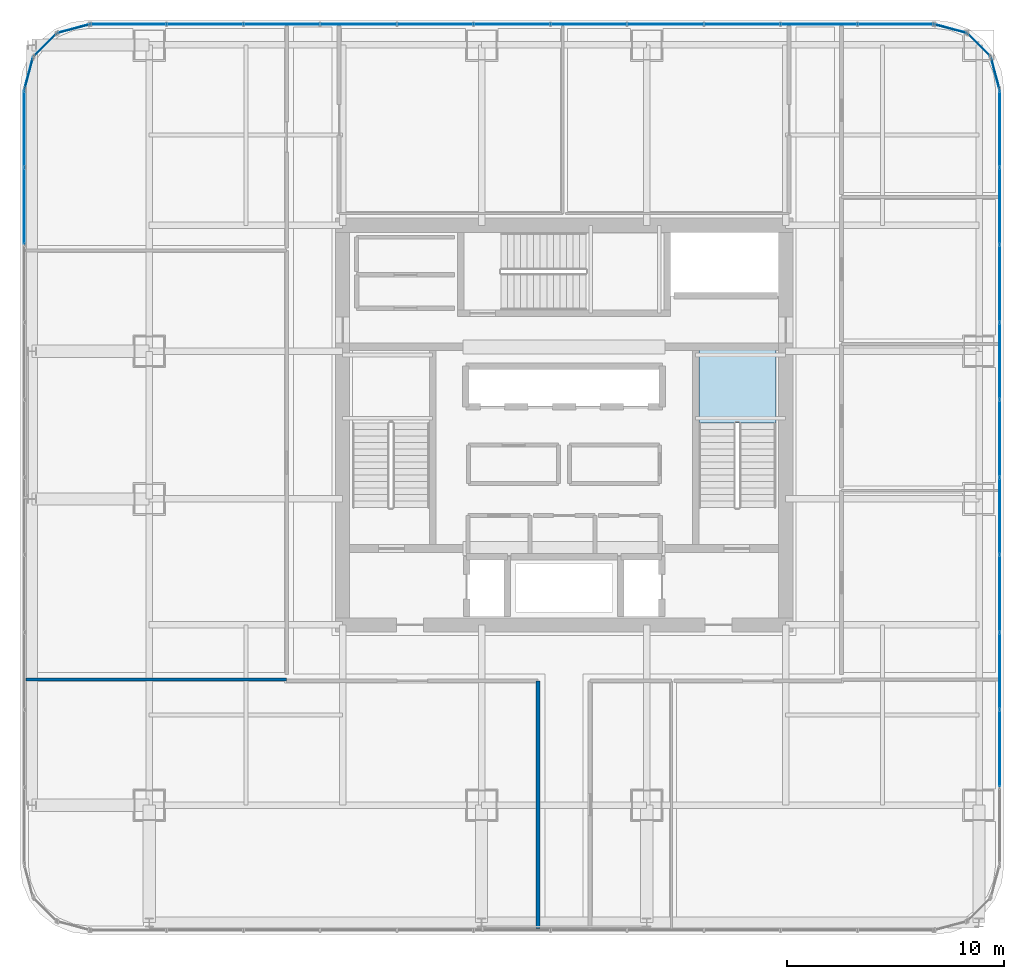
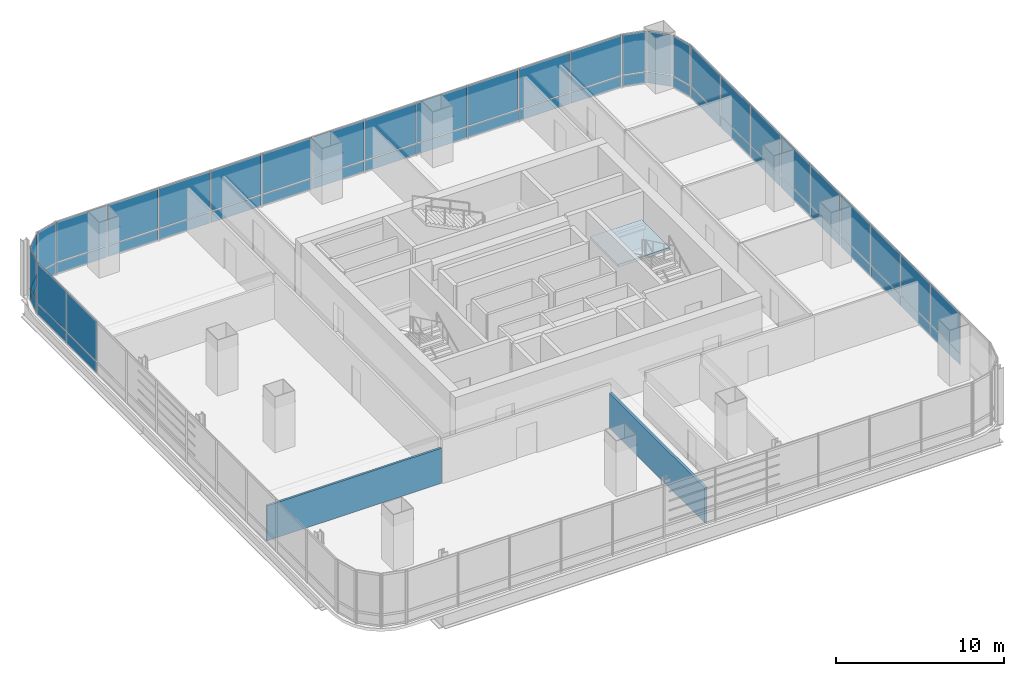
# One storey, part 28 of 37: 56 plates, 2 walls, 1 slab, 10 elements without a shape of their own.
"""IFC4 building model written with IfcOpenShell, lengths in metres."""

import ifcopenshell
import ifcopenshell.guid

model = None  # the IFC model being written
_history = None  # IfcOwnerHistory: only IFC2X3 demands one
_inside = {}  # id of a spatial element -> (the spatial element, [elements in it])
_under = {}  # id of a project, library or spatial element -> (it, [spatial elements below it])
_declared = {}  # id of a project -> (the project, [libraries it declares])
_typed = {}  # id of a type object -> (the type object, [elements of that type])
_made_of = {}  # id of a material, layer set ... -> (it, [elements and type objects made of it])


def new_model(schema):
    """Start an empty IFC model of exactly this schema.

    Asked for "IFC4X3", IfcOpenShell would pick the latest addendum, in which some entities
    have other attributes; the version numbers below select the first issue.
    IFC2X3 requires an IfcOwnerHistory on every rooted entity: one is made here for all.
    """
    global model, _history
    if schema == "IFC4X3":
        model = ifcopenshell.file(schema_version=(4, 3, 0, 0))
    else:
        model = ifcopenshell.file(schema=schema)
    _inside.clear()
    _under.clear()
    _declared.clear()
    _typed.clear()
    _made_of.clear()
    _history = None
    if model.schema == "IFC2X3":
        org = make("IfcOrganization", Name="unknown")
        user = make(
            "IfcPersonAndOrganization",
            ThePerson=make("IfcPerson", FamilyName="unknown"),
            TheOrganization=org,
        )
        app = make(
            "IfcApplication",
            ApplicationDeveloper=org,
            Version="unknown",
            ApplicationFullName="unknown",
            ApplicationIdentifier="unknown",
        )
        _history = make(
            "IfcOwnerHistory",
            OwningUser=user,
            OwningApplication=app,
            ChangeAction="ADDED",
            CreationDate=0,
        )
    return model


def make(cls, **values):
    """One entity of the class cls with the attributes given. An attribute that is None is left unset."""
    return model.create_entity(
        cls, **{name: value for name, value in values.items() if value is not None}
    )


def rooted(cls, **values):
    """An entity with a GlobalId (a new one), such as an element, a storey or a relation."""
    return make(cls, GlobalId=ifcopenshell.guid.new(), OwnerHistory=_history, **values)


def si_unit(unit_type, name, prefix=None):
    """IfcSIUnit, for example si_unit("LENGTHUNIT", "METRE", prefix="MILLI")."""
    return make("IfcSIUnit", UnitType=unit_type, Prefix=prefix, Name=name)


def assignment(units):
    """IfcUnitAssignment: the units of a project."""
    return None if units is None else make("IfcUnitAssignment", Units=units)


def point(xyz):
    """IfcCartesianPoint."""
    return None if xyz is None else make("IfcCartesianPoint", Coordinates=xyz)


def direction(xyz):
    """IfcDirection."""
    return None if xyz is None else make("IfcDirection", DirectionRatios=xyz)


def frame(location, z_axis=None, x_axis=None):
    """IfcAxis2Placement3D, a coordinate frame: its origin and axes. An axis left out is left unset."""
    return make(
        "IfcAxis2Placement3D",
        Location=point(location),
        Axis=direction(z_axis),
        RefDirection=direction(x_axis),
    )


def frame_2d(location, x_axis=None):
    """IfcAxis2Placement2D, a coordinate frame in the plane: its origin and x axis."""
    return make(
        "IfcAxis2Placement2D", Location=point(location), RefDirection=direction(x_axis)
    )


def origin():
    """The frame at (0, 0, 0) with its axes left unset."""
    return frame((0.0, 0.0, 0.0))


def origin_2d():
    """The frame at (0, 0) in the plane with its x axis left unset."""
    return frame_2d((0.0, 0.0))


def place(relative_to, where):
    """IfcLocalPlacement: puts the frame where relative to a parent placement (None: the world)."""
    return make(
        "IfcLocalPlacement", PlacementRelTo=relative_to, RelativePlacement=where
    )


def context(
    kind, dimensions, precision=None, world=None, true_north=None, identifier=None
):
    """IfcGeometricRepresentationContext, for example the 3D "Model" context."""
    return make(
        "IfcGeometricRepresentationContext",
        ContextIdentifier=identifier,
        ContextType=kind,
        CoordinateSpaceDimension=dimensions,
        Precision=precision,
        WorldCoordinateSystem=world,
        TrueNorth=true_north,
    )


def subcontext(parent, identifier, kind, view, scale=None):
    """IfcGeometricRepresentationSubContext, for example "Body" below "Model"."""
    return make(
        "IfcGeometricRepresentationSubContext",
        ContextIdentifier=identifier,
        ContextType=kind,
        ParentContext=parent,
        TargetScale=scale,
        TargetView=view,
    )


def project(units=None, contexts=None):
    """IfcProject with its units and contexts."""
    return rooted(
        "IfcProject",
        Name="project",
        RepresentationContexts=contexts,
        UnitsInContext=assignment(units),
    )


def spatial(cls, under=None, at=None, **own):
    """A site, building, storey or space (cls), placed at a placement, below another one or the project."""
    s = rooted(cls, ObjectPlacement=at, **own)
    if under is not None:
        _under.setdefault(under.id(), (under, []))[1].append(s)
    return s


def polyline(points):
    """IfcPolyline through the points."""
    return make("IfcPolyline", Points=[point(p) for p in points])


def profile(cls, at=None, kind="AREA", **sizes):
    """A parametric profile (cls). Its sizes go by their IFC names, for example OverallWidth=200.0."""
    return make(cls, ProfileType=kind, Position=at, **sizes)


def rectangle(**sizes):
    """IfcRectangleProfileDef."""
    return profile("IfcRectangleProfileDef", **sizes)


def outline(outer, holes=None, kind="AREA"):
    """IfcArbitraryClosedProfileDef: a profile drawn as a closed curve; with holes, ...WithVoids."""
    if holes is None:
        return make("IfcArbitraryClosedProfileDef", ProfileType=kind, OuterCurve=outer)
    return make(
        "IfcArbitraryProfileDefWithVoids",
        ProfileType=kind,
        OuterCurve=outer,
        InnerCurves=holes,
    )


def extrude(swept, where, along, depth):
    """IfcExtrudedAreaSolid: the profile swept, set in the frame where, extruded along a direction by depth."""
    return make(
        "IfcExtrudedAreaSolid",
        SweptArea=swept,
        Position=where,
        ExtrudedDirection=direction(along),
        Depth=depth,
    )


def shape(context_of_items, identifier, shape_type, items):
    """IfcShapeRepresentation: the items that make up one representation, for example the "Body"."""
    return make(
        "IfcShapeRepresentation",
        ContextOfItems=context_of_items,
        RepresentationIdentifier=identifier,
        RepresentationType=shape_type,
        Items=items,
    )


def material(Name=None, Category=None):
    """IfcMaterial."""
    return make("IfcMaterial", Name=Name, Category=Category)


def layer(
    of_material, thickness, ventilated=None, Name=None, Category=None, Priority=None
):
    """IfcMaterialLayer: one layer of a wall or slab, of a material (None: an air gap)."""
    return make(
        "IfcMaterialLayer",
        Material=of_material,
        LayerThickness=thickness,
        IsVentilated=ventilated,
        Name=Name,
        Category=Category,
        Priority=Priority,
    )


def layer_set(layers, Name=None):
    """IfcMaterialLayerSet."""
    return make("IfcMaterialLayerSet", MaterialLayers=layers, LayerSetName=Name)


def made_of(thing, what):
    """Note that an element or type object is made of a material, layer set ...; save() writes the relation."""
    if what is not None:
        _made_of.setdefault(what.id(), (what, []))[1].append(thing)
    return thing


def type_object(cls, material=None, **own):
    """A type object (cls), such as IfcWallType, which elements share."""
    return made_of(rooted(cls, **own), material)


def element(
    cls,
    number,
    at=None,
    inside=None,
    cuts=None,
    type_object=None,
    material=None,
    context=None,
    identifier="Body",
    shape_type=None,
    held_by="IfcProductDefinitionShape",
    body=None,
    shapes=None,
    **own,
):
    """One element of the class cls, such as IfcWall. Its Tag is "e" and its number.

    at: its placement. inside: the storey or other place that contains it. cuts: it is an
    opening in that element (IfcRelVoidsElement). A single representation is given by context,
    identifier, shape_type and body (its items); several are given by shapes. held_by: the class
    of the entity that holds the representations. save() writes the other relations.
    """
    e = rooted(cls, Tag="e%d" % number, ObjectPlacement=at, **own)
    if body is not None:
        shapes = [shape(context, identifier, shape_type, body)]
    if shapes is not None:
        e.Representation = make(held_by, Representations=shapes)
    if inside is not None:
        _inside.setdefault(inside.id(), (inside, []))[1].append(e)
    if cuts is not None:
        rooted(
            "IfcRelVoidsElement", RelatingBuildingElement=cuts, RelatedOpeningElement=e
        )
    if type_object is not None:
        _typed.setdefault(type_object.id(), (type_object, []))[1].append(e)
    return made_of(e, material)


def aggregate(whole, parts):
    """IfcRelAggregates: a whole, such as a stair, and the parts it consists of."""
    return rooted("IfcRelAggregates", RelatingObject=whole, RelatedObjects=parts)


def save(model, path):
    """Write the relations noted so far, then the file.

    IfcRelAggregates (storeys below a building ...), IfcRelContainedInSpatialStructure (elements
    in a storey), IfcRelDefinesByType, IfcRelAssociatesMaterial and IfcRelDeclares: one each for
    every whole, place, type object, material and project.
    """
    for whole, parts in _under.values():
        aggregate(whole, parts)
    for where, things in _inside.values():
        rooted(
            "IfcRelContainedInSpatialStructure",
            RelatedElements=things,
            RelatingStructure=where,
        )
    for kind, things in _typed.values():
        rooted("IfcRelDefinesByType", RelatedObjects=things, RelatingType=kind)
    for what, things in _made_of.values():
        rooted("IfcRelAssociatesMaterial", RelatedObjects=things, RelatingMaterial=what)
    for by, libraries in _declared.values():
        rooted("IfcRelDeclares", RelatingContext=by, RelatedDefinitions=libraries)
    model.write(path)


model = new_model("IFC4")

# Units and contexts
model_context = context("Model", 3, precision=1e-05, world=origin(), true_north=direction((0.0, 1.0)))
body_context = subcontext(model_context, "Body", "Model", "MODEL_VIEW")
ifc_project = project(units=[si_unit("LENGTHUNIT", "METRE"), si_unit("AREAUNIT", "SQUARE_METRE"), si_unit("VOLUMEUNIT", "CUBIC_METRE"), si_unit("PLANEANGLEUNIT", "RADIAN"), si_unit("MASSUNIT", "GRAM", prefix="KILO")], contexts=[model_context])

# Site, building, storey
site_placement = place(None, origin())
site = spatial("IfcSite", under=ifc_project, at=site_placement, CompositionType="ELEMENT")
building_placement = place(site_placement, origin())
building = spatial("IfcBuilding", under=site, at=building_placement, Name="Punatoya Terracotta Tower", CompositionType="ELEMENT")
storey_placement = place(building_placement, frame((0.0, 0.0, 192.449951171875)))
storey = spatial("IfcBuildingStorey", under=building, at=storey_placement, Name="L45", CompositionType="ELEMENT", Elevation=192.449951171875)

# Curtain wall, plates
ifc_material_1 = material(Name="Aluminium 6063-T6 + Double Low-E Glass", Category="aluminium")
curtain_wall_type = type_object("IfcCurtainWallType", Name="CW-M2", PredefinedType="NOTDEFINED", material=ifc_material_1)
curtain_wall_1_placement = place(storey_placement, origin())
curtain_wall_1 = element("IfcCurtainWall", 1, at=curtain_wall_1_placement, inside=storey, type_object=curtain_wall_type, Name="L45 Curtain Wall CW-L45-E05-1", PredefinedType="NOTDEFINED")
ifc_material_2 = material(Name="Double Low-E Acoustic Vision Glass", Category="glass")
ifc_layer_1 = layer(ifc_material_2, 0.031982421875)
ifc_layer_set_1 = layer_set([ifc_layer_1], Name="Double Low-E Acoustic Vision Glass")
plate_type_1 = type_object("IfcPlateType", Name="PLT-GLZ-32", PredefinedType="CURTAIN_PANEL", material=ifc_layer_set_1)
plate_1_placement = place(storey_placement, frame((20.050048828125, -14.8857421875, 0.89013671875), z_axis=(0.0, 0.0, 1.0), x_axis=(0.0, 1.0, 0.0)))
plate_1 = element("IfcPlate", 2, at=plate_1_placement, type_object=plate_type_1, Name="CW-L45-E05-1 Vision Glass Panel 2", PredefinedType="CURTAIN_PANEL", context=body_context, shape_type="SweptSolid", body=[
    extrude(rectangle(XDim=3.482421875, YDim=0.031982421875, at=origin_2d()), origin(), (0.0, 0.0, 1.0), 2.89990234375),
])
plate_2_placement = place(storey_placement, frame((20.050048828125, -11.318359375, 0.89013671875), z_axis=(0.0, 0.0, 1.0), x_axis=(0.0, 1.0, 0.0)))
plate_2 = element("IfcPlate", 3, at=plate_2_placement, type_object=plate_type_1, Name="CW-L45-E05-1 Vision Glass Panel 3", PredefinedType="CURTAIN_PANEL", context=body_context, shape_type="SweptSolid", body=[
    extrude(rectangle(XDim=3.482421875, YDim=0.031982421875, at=origin_2d()), origin(), (0.0, 0.0, 1.0), 2.89990234375),
])
plate_3_placement = place(storey_placement, frame((20.050048828125, -7.751220703125, 0.89013671875), z_axis=(0.0, 0.0, 1.0), x_axis=(0.0, 1.0, 0.0)))
plate_3 = element("IfcPlate", 4, at=plate_3_placement, type_object=plate_type_1, Name="CW-L45-E05-1 Vision Glass Panel 4", PredefinedType="CURTAIN_PANEL", context=body_context, shape_type="SweptSolid", body=[
    extrude(rectangle(XDim=3.482421875, YDim=0.031982421875, at=origin_2d()), origin(), (0.0, 0.0, 1.0), 2.89990234375),
])
plate_4_placement = place(storey_placement, frame((20.050048828125, -4.18359375, 0.89013671875), z_axis=(0.0, 0.0, 1.0), x_axis=(0.0, 1.0, 0.0)))
plate_4 = element("IfcPlate", 5, at=plate_4_placement, type_object=plate_type_1, Name="CW-L45-E05-1 Vision Glass Panel 5", PredefinedType="CURTAIN_PANEL", context=body_context, shape_type="SweptSolid", body=[
    extrude(rectangle(XDim=3.482421875, YDim=0.031982421875, at=origin_2d()), origin(), (0.0, 0.0, 1.0), 2.89990234375),
])
plate_5_placement = place(storey_placement, frame((20.050048828125, -0.6162109375, 0.89013671875), z_axis=(0.0, 0.0, 1.0), x_axis=(0.0, 1.0, 0.0)))
plate_5 = element("IfcPlate", 6, at=plate_5_placement, type_object=plate_type_1, Name="CW-L45-E05-1 Vision Glass Panel 6", PredefinedType="CURTAIN_PANEL", context=body_context, shape_type="SweptSolid", body=[
    extrude(rectangle(XDim=3.482421875, YDim=0.031982421875, at=origin_2d()), origin(), (0.0, 0.0, 1.0), 2.89990234375),
])
plate_6_placement = place(storey_placement, frame((20.050048828125, 2.951171875, 0.89013671875), z_axis=(0.0, 0.0, 1.0), x_axis=(0.0, 1.0, 0.0)))
plate_6 = element("IfcPlate", 7, at=plate_6_placement, type_object=plate_type_1, Name="CW-L45-E05-1 Vision Glass Panel 7", PredefinedType="CURTAIN_PANEL", context=body_context, shape_type="SweptSolid", body=[
    extrude(rectangle(XDim=3.482421875, YDim=0.031982421875, at=origin_2d()), origin(), (0.0, 0.0, 1.0), 2.89990234375),
])
plate_7_placement = place(storey_placement, frame((20.050048828125, 6.518310546875, 0.89013671875), z_axis=(0.0, 0.0, 1.0), x_axis=(0.0, 1.0, 0.0)))
plate_7 = element("IfcPlate", 8, at=plate_7_placement, type_object=plate_type_1, Name="CW-L45-E05-1 Vision Glass Panel 8", PredefinedType="CURTAIN_PANEL", context=body_context, shape_type="SweptSolid", body=[
    extrude(rectangle(XDim=3.482421875, YDim=0.031982421875, at=origin_2d()), origin(), (0.0, 0.0, 1.0), 2.89990234375),
])
plate_8_placement = place(storey_placement, frame((20.050048828125, 10.085693359375, 0.89013671875), z_axis=(0.0, 0.0, 1.0), x_axis=(0.0, 1.0, 0.0)))
plate_8 = element("IfcPlate", 9, at=plate_8_placement, type_object=plate_type_1, Name="CW-L45-E05-1 Vision Glass Panel 9", PredefinedType="CURTAIN_PANEL", context=body_context, shape_type="SweptSolid", body=[
    extrude(rectangle(XDim=3.482421875, YDim=0.031982421875, at=origin_2d()), origin(), (0.0, 0.0, 1.0), 2.89990234375),
])
plate_9_placement = place(storey_placement, frame((20.050048828125, 13.6533203125, 0.89013671875), z_axis=(0.0, 0.0, 1.0), x_axis=(0.0, 1.0, 0.0)))
plate_9 = element("IfcPlate", 10, at=plate_9_placement, type_object=plate_type_1, Name="CW-L45-E05-1 Vision Glass Panel 10", PredefinedType="CURTAIN_PANEL", context=body_context, shape_type="SweptSolid", body=[
    extrude(rectangle(XDim=3.482421875, YDim=0.031982421875, at=origin_2d()), origin(), (0.0, 0.0, 1.0), 2.89990234375),
])

# Curtain wall, plate
curtain_wall_2_placement = place(storey_placement, origin())
curtain_wall_2 = element("IfcCurtainWall", 11, at=curtain_wall_2_placement, inside=storey, type_object=curtain_wall_type, Name="L45 Curtain Wall CW-L45-CRN06", PredefinedType="NOTDEFINED")
plate_10_placement = place(storey_placement, frame((19.848388671875, 16.193115234375, 0.89013671875), z_axis=(0.0, 0.0, 1.0), x_axis=(-0.257741620719, 0.966213877436, 0.0)))
plate_10 = element("IfcPlate", 12, at=plate_10_placement, type_object=plate_type_1, Name="CW-L45-CRN06 Vision Glass Panel 1", PredefinedType="CURTAIN_PANEL", context=body_context, shape_type="SweptSolid", body=[
    extrude(rectangle(XDim=1.47998046875, YDim=0.031982421875, at=origin_2d()), origin(), (0.0, 0.0, 1.0), 2.89990234375),
])

curtain_wall_3_placement = place(storey_placement, origin())
curtain_wall_3 = element("IfcCurtainWall", 13, at=curtain_wall_3_placement, inside=storey, type_object=curtain_wall_type, Name="L45 Curtain Wall CW-L45-CRN07", PredefinedType="NOTDEFINED")
plate_11_placement = place(storey_placement, frame((19.097900390625, 17.497802734375, 0.89013671875), z_axis=(0.0, 0.0, 1.0), x_axis=(-0.707106781187, 0.707106781187, 0.0)))
plate_11 = element("IfcPlate", 14, at=plate_11_placement, type_object=plate_type_1, Name="CW-L45-CRN07 Vision Glass Panel 1", PredefinedType="CURTAIN_PANEL", context=body_context, shape_type="SweptSolid", body=[
    extrude(rectangle(XDim=1.467041015625, YDim=0.031982421875, at=origin_2d()), origin(), (0.0, 0.0, 1.0), 2.89990234375),
])

curtain_wall_4_placement = place(storey_placement, origin())
curtain_wall_4 = element("IfcCurtainWall", 15, at=curtain_wall_4_placement, inside=storey, type_object=curtain_wall_type, Name="L45 Curtain Wall CW-L45-CRN08", PredefinedType="NOTDEFINED")
plate_12_placement = place(storey_placement, frame((17.79296875, 18.248291015625, 0.89013671875), z_axis=(0.0, 0.0, 1.0), x_axis=(-0.966213877436, 0.257741620719, 0.0)))
plate_12 = element("IfcPlate", 16, at=plate_12_placement, type_object=plate_type_1, Name="CW-L45-CRN08 Vision Glass Panel 1", PredefinedType="CURTAIN_PANEL", context=body_context, shape_type="SweptSolid", body=[
    extrude(rectangle(XDim=1.47998046875, YDim=0.031982421875, at=origin_2d()), origin(), (0.0, 0.0, 1.0), 2.89990234375),
])

# Curtain wall, plates
curtain_wall_5_placement = place(storey_placement, origin())
curtain_wall_5 = element("IfcCurtainWall", 17, at=curtain_wall_5_placement, inside=storey, type_object=curtain_wall_type, Name="L45 Curtain Wall CW-L45-N09-1", PredefinedType="NOTDEFINED")
plate_13_placement = place(storey_placement, frame((15.27001953125, 18.449951171875, 0.89013671875), z_axis=(0.0, 0.0, 1.0), x_axis=(-1.0, 0.0, 0.0)))
plate_13 = element("IfcPlate", 18, at=plate_13_placement, type_object=plate_type_1, Name="CW-L45-N09-1 Vision Glass Panel 1", PredefinedType="CURTAIN_PANEL", context=body_context, shape_type="SweptSolid", body=[
    extrude(rectangle(XDim=3.448974609375, YDim=0.031982421875, at=origin_2d()), origin(), (0.0, 0.0, 1.0), 2.89990234375),
])
plate_14_placement = place(storey_placement, frame((11.73583984375, 18.449951171875, 0.89013671875), z_axis=(0.0, 0.0, 1.0), x_axis=(-1.0, 0.0, 0.0)))
plate_14 = element("IfcPlate", 19, at=plate_14_placement, type_object=plate_type_1, Name="CW-L45-N09-1 Vision Glass Panel 2", PredefinedType="CURTAIN_PANEL", context=body_context, shape_type="SweptSolid", body=[
    extrude(rectangle(XDim=3.448974609375, YDim=0.031982421875, at=origin_2d()), origin(), (0.0, 0.0, 1.0), 2.89990234375),
])
plate_15_placement = place(storey_placement, frame((8.201904296875, 18.449951171875, 0.89013671875), z_axis=(0.0, 0.0, 1.0), x_axis=(-1.0, 0.0, 0.0)))
plate_15 = element("IfcPlate", 20, at=plate_15_placement, type_object=plate_type_1, Name="CW-L45-N09-1 Vision Glass Panel 3", PredefinedType="CURTAIN_PANEL", context=body_context, shape_type="SweptSolid", body=[
    extrude(rectangle(XDim=3.448974609375, YDim=0.031982421875, at=origin_2d()), origin(), (0.0, 0.0, 1.0), 2.89990234375),
])
plate_16_placement = place(storey_placement, frame((4.66796875, 18.449951171875, 0.89013671875), z_axis=(0.0, 0.0, 1.0), x_axis=(-1.0, 0.0, 0.0)))
plate_16 = element("IfcPlate", 21, at=plate_16_placement, type_object=plate_type_1, Name="CW-L45-N09-1 Vision Glass Panel 4", PredefinedType="CURTAIN_PANEL", context=body_context, shape_type="SweptSolid", body=[
    extrude(rectangle(XDim=3.448974609375, YDim=0.031982421875, at=origin_2d()), origin(), (0.0, 0.0, 1.0), 2.89990234375),
])
plate_17_placement = place(storey_placement, frame((1.134033203125, 18.449951171875, 0.89013671875), z_axis=(0.0, 0.0, 1.0), x_axis=(-1.0, 0.0, 0.0)))
plate_17 = element("IfcPlate", 22, at=plate_17_placement, type_object=plate_type_1, Name="CW-L45-N09-1 Vision Glass Panel 5", PredefinedType="CURTAIN_PANEL", context=body_context, shape_type="SweptSolid", body=[
    extrude(rectangle(XDim=3.448974609375, YDim=0.031982421875, at=origin_2d()), origin(), (0.0, 0.0, 1.0), 2.89990234375),
])
plate_18_placement = place(storey_placement, frame((-2.39990234375, 18.449951171875, 0.89013671875), z_axis=(0.0, 0.0, 1.0), x_axis=(-1.0, 0.0, 0.0)))
plate_18 = element("IfcPlate", 23, at=plate_18_placement, type_object=plate_type_1, Name="CW-L45-N09-1 Vision Glass Panel 6", PredefinedType="CURTAIN_PANEL", context=body_context, shape_type="SweptSolid", body=[
    extrude(rectangle(XDim=3.448974609375, YDim=0.031982421875, at=origin_2d()), origin(), (0.0, 0.0, 1.0), 2.89990234375),
])
plate_19_placement = place(storey_placement, frame((-5.93408203125, 18.449951171875, 0.89013671875), z_axis=(0.0, 0.0, 1.0), x_axis=(-1.0, 0.0, 0.0)))
plate_19 = element("IfcPlate", 24, at=plate_19_placement, type_object=plate_type_1, Name="CW-L45-N09-1 Vision Glass Panel 7", PredefinedType="CURTAIN_PANEL", context=body_context, shape_type="SweptSolid", body=[
    extrude(rectangle(XDim=3.448974609375, YDim=0.031982421875, at=origin_2d()), origin(), (0.0, 0.0, 1.0), 2.89990234375),
])
plate_20_placement = place(storey_placement, frame((-9.468017578125, 18.449951171875, 0.89013671875), z_axis=(0.0, 0.0, 1.0), x_axis=(-1.0, 0.0, 0.0)))
plate_20 = element("IfcPlate", 25, at=plate_20_placement, type_object=plate_type_1, Name="CW-L45-N09-1 Vision Glass Panel 8", PredefinedType="CURTAIN_PANEL", context=body_context, shape_type="SweptSolid", body=[
    extrude(rectangle(XDim=3.448974609375, YDim=0.031982421875, at=origin_2d()), origin(), (0.0, 0.0, 1.0), 2.89990234375),
])
plate_21_placement = place(storey_placement, frame((-13.001953125, 18.449951171875, 0.89013671875), z_axis=(0.0, 0.0, 1.0), x_axis=(-1.0, 0.0, 0.0)))
plate_21 = element("IfcPlate", 26, at=plate_21_placement, type_object=plate_type_1, Name="CW-L45-N09-1 Vision Glass Panel 9", PredefinedType="CURTAIN_PANEL", context=body_context, shape_type="SweptSolid", body=[
    extrude(rectangle(XDim=3.448974609375, YDim=0.031982421875, at=origin_2d()), origin(), (0.0, 0.0, 1.0), 2.89990234375),
])
plate_22_placement = place(storey_placement, frame((-16.535888671875, 18.449951171875, 0.89013671875), z_axis=(0.0, 0.0, 1.0), x_axis=(-1.0, 0.0, 0.0)))
plate_22 = element("IfcPlate", 27, at=plate_22_placement, type_object=plate_type_1, Name="CW-L45-N09-1 Vision Glass Panel 10", PredefinedType="CURTAIN_PANEL", context=body_context, shape_type="SweptSolid", body=[
    extrude(rectangle(XDim=3.448974609375, YDim=0.031982421875, at=origin_2d()), origin(), (0.0, 0.0, 1.0), 2.89990234375),
])
plate_23_placement = place(storey_placement, frame((-20.06982421875, 18.449951171875, 0.89013671875), z_axis=(0.0, 0.0, 1.0), x_axis=(-1.0, 0.0, 0.0)))
plate_23 = element("IfcPlate", 28, at=plate_23_placement, type_object=plate_type_1, Name="CW-L45-N09-1 Vision Glass Panel 11", PredefinedType="CURTAIN_PANEL", context=body_context, shape_type="SweptSolid", body=[
    extrude(rectangle(XDim=3.448974609375, YDim=0.031982421875, at=origin_2d()), origin(), (0.0, 0.0, 1.0), 2.89990234375),
])

# Curtain wall, plate
curtain_wall_6_placement = place(storey_placement, origin())
curtain_wall_6 = element("IfcCurtainWall", 29, at=curtain_wall_6_placement, inside=storey, type_object=curtain_wall_type, Name="L45 Curtain Wall CW-L45-CRN10", PredefinedType="NOTDEFINED")
plate_24_placement = place(storey_placement, frame((-22.593017578125, 18.248291015625, 0.89013671875), z_axis=(0.0, 0.0, 1.0), x_axis=(-0.966213877436, -0.257741620719, 0.0)))
plate_24 = element("IfcPlate", 30, at=plate_24_placement, type_object=plate_type_1, Name="CW-L45-CRN10 Vision Glass Panel 1", PredefinedType="CURTAIN_PANEL", context=body_context, shape_type="SweptSolid", body=[
    extrude(rectangle(XDim=1.47998046875, YDim=0.031982421875, at=origin_2d()), origin(), (0.0, 0.0, 1.0), 2.89990234375),
])

curtain_wall_7_placement = place(storey_placement, origin())
curtain_wall_7 = element("IfcCurtainWall", 31, at=curtain_wall_7_placement, inside=storey, type_object=curtain_wall_type, Name="L45 Curtain Wall CW-L45-CRN11", PredefinedType="NOTDEFINED")
plate_25_placement = place(storey_placement, frame((-23.89794921875, 17.497802734375, 0.89013671875), z_axis=(0.0, 0.0, 1.0), x_axis=(-0.707106781187, -0.707106781187, 0.0)))
plate_25 = element("IfcPlate", 32, at=plate_25_placement, type_object=plate_type_1, Name="CW-L45-CRN11 Vision Glass Panel 1", PredefinedType="CURTAIN_PANEL", context=body_context, shape_type="SweptSolid", body=[
    extrude(rectangle(XDim=1.467041015625, YDim=0.031982421875, at=origin_2d()), origin(), (0.0, 0.0, 1.0), 2.89990234375),
])

curtain_wall_8_placement = place(storey_placement, origin())
curtain_wall_8 = element("IfcCurtainWall", 33, at=curtain_wall_8_placement, inside=storey, type_object=curtain_wall_type, Name="L45 Curtain Wall CW-L45-CRN12", PredefinedType="NOTDEFINED")
plate_26_placement = place(storey_placement, frame((-24.648193359375, 16.193115234375, 0.89013671875), z_axis=(0.0, 0.0, 1.0), x_axis=(-0.257741620719, -0.966213877436, 0.0)))
plate_26 = element("IfcPlate", 34, at=plate_26_placement, type_object=plate_type_1, Name="CW-L45-CRN12 Vision Glass Panel 1", PredefinedType="CURTAIN_PANEL", context=body_context, shape_type="SweptSolid", body=[
    extrude(rectangle(XDim=1.47998046875, YDim=0.031982421875, at=origin_2d()), origin(), (0.0, 0.0, 1.0), 2.89990234375),
])

# Curtain wall, plates
curtain_wall_9_placement = place(storey_placement, origin())
curtain_wall_9 = element("IfcCurtainWall", 35, at=curtain_wall_9_placement, inside=storey, type_object=curtain_wall_type, Name="L45 Curtain Wall CW-L45-W13-1", PredefinedType="NOTDEFINED")
plate_27_placement = place(storey_placement, frame((-24.85009765625, 13.6533203125, 0.89013671875), z_axis=(0.0, 0.0, 1.0), x_axis=(0.0, -1.0, 0.0)))
plate_27 = element("IfcPlate", 36, at=plate_27_placement, type_object=plate_type_1, Name="CW-L45-W13-1 Vision Glass Panel 1", PredefinedType="CURTAIN_PANEL", context=body_context, shape_type="SweptSolid", body=[
    extrude(rectangle(XDim=3.482421875, YDim=0.031982421875, at=origin_2d()), origin(), (0.0, 0.0, 1.0), 2.89990234375),
])
plate_28_placement = place(storey_placement, frame((-24.85009765625, 10.085693359375, 0.89013671875), z_axis=(0.0, 0.0, 1.0), x_axis=(0.0, -1.0, 0.0)))
plate_28 = element("IfcPlate", 37, at=plate_28_placement, type_object=plate_type_1, Name="CW-L45-W13-1 Vision Glass Panel 2", PredefinedType="CURTAIN_PANEL", context=body_context, shape_type="SweptSolid", body=[
    extrude(rectangle(XDim=3.482421875, YDim=0.031982421875, at=origin_2d()), origin(), (0.0, 0.0, 1.0), 2.89990234375),
])

# Plate
ifc_material_3 = material(Name="Insulated Terracotta-Backed Spandrel Panel", Category="masonry")
ifc_layer_2 = layer(ifc_material_3, 0.044921875)
ifc_layer_set_2 = layer_set([ifc_layer_2], Name="Insulated Terracotta-Backed Spandrel Panel")
plate_type_2 = type_object("IfcPlateType", Name="PLT-SPN-45", PredefinedType="CURTAIN_PANEL", material=ifc_layer_set_2)
plate_29_placement = place(storey_placement, frame((20.050048828125, -14.8857421875, 0.0400390625), z_axis=(0.0, 0.0, 1.0), x_axis=(0.0, 1.0, 0.0)))
plate_29 = element("IfcPlate", 38, at=plate_29_placement, type_object=plate_type_2, Name="CW-L45-E05-1 Terracotta Spandrel Panel 2", PredefinedType="CURTAIN_PANEL", context=body_context, shape_type="SweptSolid", body=[
    extrude(rectangle(XDim=3.482421875, YDim=0.044921875, at=origin_2d()), origin(), (0.0, 0.0, 1.0), 0.77490234375),
])

plate_30_placement = place(storey_placement, frame((20.050048828125, -11.318359375, 0.0400390625), z_axis=(0.0, 0.0, 1.0), x_axis=(0.0, 1.0, 0.0)))
plate_30 = element("IfcPlate", 39, at=plate_30_placement, type_object=plate_type_2, Name="CW-L45-E05-1 Terracotta Spandrel Panel 3", PredefinedType="CURTAIN_PANEL", context=body_context, shape_type="SweptSolid", body=[
    extrude(rectangle(XDim=3.482421875, YDim=0.044921875, at=origin_2d()), origin(), (0.0, 0.0, 1.0), 0.77490234375),
])

plate_31_placement = place(storey_placement, frame((20.050048828125, -7.751220703125, 0.0400390625), z_axis=(0.0, 0.0, 1.0), x_axis=(0.0, 1.0, 0.0)))
plate_31 = element("IfcPlate", 40, at=plate_31_placement, type_object=plate_type_2, Name="CW-L45-E05-1 Terracotta Spandrel Panel 4", PredefinedType="CURTAIN_PANEL", context=body_context, shape_type="SweptSolid", body=[
    extrude(rectangle(XDim=3.482421875, YDim=0.044921875, at=origin_2d()), origin(), (0.0, 0.0, 1.0), 0.77490234375),
])

plate_32_placement = place(storey_placement, frame((20.050048828125, -4.18359375, 0.0400390625), z_axis=(0.0, 0.0, 1.0), x_axis=(0.0, 1.0, 0.0)))
plate_32 = element("IfcPlate", 41, at=plate_32_placement, type_object=plate_type_2, Name="CW-L45-E05-1 Terracotta Spandrel Panel 5", PredefinedType="CURTAIN_PANEL", context=body_context, shape_type="SweptSolid", body=[
    extrude(rectangle(XDim=3.482421875, YDim=0.044921875, at=origin_2d()), origin(), (0.0, 0.0, 1.0), 0.77490234375),
])

plate_33_placement = place(storey_placement, frame((20.050048828125, -0.6162109375, 0.0400390625), z_axis=(0.0, 0.0, 1.0), x_axis=(0.0, 1.0, 0.0)))
plate_33 = element("IfcPlate", 42, at=plate_33_placement, type_object=plate_type_2, Name="CW-L45-E05-1 Terracotta Spandrel Panel 6", PredefinedType="CURTAIN_PANEL", context=body_context, shape_type="SweptSolid", body=[
    extrude(rectangle(XDim=3.482421875, YDim=0.044921875, at=origin_2d()), origin(), (0.0, 0.0, 1.0), 0.77490234375),
])

plate_34_placement = place(storey_placement, frame((20.050048828125, 2.951171875, 0.0400390625), z_axis=(0.0, 0.0, 1.0), x_axis=(0.0, 1.0, 0.0)))
plate_34 = element("IfcPlate", 43, at=plate_34_placement, type_object=plate_type_2, Name="CW-L45-E05-1 Terracotta Spandrel Panel 7", PredefinedType="CURTAIN_PANEL", context=body_context, shape_type="SweptSolid", body=[
    extrude(rectangle(XDim=3.482421875, YDim=0.044921875, at=origin_2d()), origin(), (0.0, 0.0, 1.0), 0.77490234375),
])

plate_35_placement = place(storey_placement, frame((20.050048828125, 6.518310546875, 0.0400390625), z_axis=(0.0, 0.0, 1.0), x_axis=(0.0, 1.0, 0.0)))
plate_35 = element("IfcPlate", 44, at=plate_35_placement, type_object=plate_type_2, Name="CW-L45-E05-1 Terracotta Spandrel Panel 8", PredefinedType="CURTAIN_PANEL", context=body_context, shape_type="SweptSolid", body=[
    extrude(rectangle(XDim=3.482421875, YDim=0.044921875, at=origin_2d()), origin(), (0.0, 0.0, 1.0), 0.77490234375),
])

plate_36_placement = place(storey_placement, frame((20.050048828125, 10.085693359375, 0.0400390625), z_axis=(0.0, 0.0, 1.0), x_axis=(0.0, 1.0, 0.0)))
plate_36 = element("IfcPlate", 45, at=plate_36_placement, type_object=plate_type_2, Name="CW-L45-E05-1 Terracotta Spandrel Panel 9", PredefinedType="CURTAIN_PANEL", context=body_context, shape_type="SweptSolid", body=[
    extrude(rectangle(XDim=3.482421875, YDim=0.044921875, at=origin_2d()), origin(), (0.0, 0.0, 1.0), 0.77490234375),
])

plate_37_placement = place(storey_placement, frame((20.050048828125, 13.6533203125, 0.0400390625), z_axis=(0.0, 0.0, 1.0), x_axis=(0.0, 1.0, 0.0)))
plate_37 = element("IfcPlate", 46, at=plate_37_placement, type_object=plate_type_2, Name="CW-L45-E05-1 Terracotta Spandrel Panel 10", PredefinedType="CURTAIN_PANEL", context=body_context, shape_type="SweptSolid", body=[
    extrude(rectangle(XDim=3.482421875, YDim=0.044921875, at=origin_2d()), origin(), (0.0, 0.0, 1.0), 0.77490234375),
])

aggregate(curtain_wall_1, [plate_29, plate_1, plate_30, plate_2, plate_31, plate_3, plate_32, plate_4, plate_33, plate_5, plate_34, plate_6, plate_35, plate_7, plate_36, plate_8, plate_37, plate_9])

plate_38_placement = place(storey_placement, frame((19.848388671875, 16.193115234375, 0.0400390625), z_axis=(0.0, 0.0, 1.0), x_axis=(-0.257741620719, 0.966213877436, 0.0)))
plate_38 = element("IfcPlate", 47, at=plate_38_placement, type_object=plate_type_2, Name="CW-L45-CRN06 Terracotta Spandrel Panel 1", PredefinedType="CURTAIN_PANEL", context=body_context, shape_type="SweptSolid", body=[
    extrude(rectangle(XDim=1.47998046875, YDim=0.044921875, at=origin_2d()), origin(), (0.0, 0.0, 1.0), 0.77490234375),
])

aggregate(curtain_wall_2, [plate_38, plate_10])

plate_39_placement = place(storey_placement, frame((19.097900390625, 17.497802734375, 0.0400390625), z_axis=(0.0, 0.0, 1.0), x_axis=(-0.707106781187, 0.707106781187, 0.0)))
plate_39 = element("IfcPlate", 48, at=plate_39_placement, type_object=plate_type_2, Name="CW-L45-CRN07 Terracotta Spandrel Panel 1", PredefinedType="CURTAIN_PANEL", context=body_context, shape_type="SweptSolid", body=[
    extrude(rectangle(XDim=1.467041015625, YDim=0.044921875, at=origin_2d()), origin(), (0.0, 0.0, 1.0), 0.77490234375),
])

aggregate(curtain_wall_3, [plate_39, plate_11])

plate_40_placement = place(storey_placement, frame((17.79296875, 18.248291015625, 0.0400390625), z_axis=(0.0, 0.0, 1.0), x_axis=(-0.966213877436, 0.257741620719, 0.0)))
plate_40 = element("IfcPlate", 49, at=plate_40_placement, type_object=plate_type_2, Name="CW-L45-CRN08 Terracotta Spandrel Panel 1", PredefinedType="CURTAIN_PANEL", context=body_context, shape_type="SweptSolid", body=[
    extrude(rectangle(XDim=1.47998046875, YDim=0.044921875, at=origin_2d()), origin(), (0.0, 0.0, 1.0), 0.77490234375),
])

aggregate(curtain_wall_4, [plate_40, plate_12])

plate_41_placement = place(storey_placement, frame((15.27001953125, 18.449951171875, 0.0400390625), z_axis=(0.0, 0.0, 1.0), x_axis=(-1.0, 0.0, 0.0)))
plate_41 = element("IfcPlate", 50, at=plate_41_placement, type_object=plate_type_2, Name="CW-L45-N09-1 Terracotta Spandrel Panel 1", PredefinedType="CURTAIN_PANEL", context=body_context, shape_type="SweptSolid", body=[
    extrude(rectangle(XDim=3.448974609375, YDim=0.044921875, at=origin_2d()), origin(), (0.0, 0.0, 1.0), 0.77490234375),
])

plate_42_placement = place(storey_placement, frame((11.73583984375, 18.449951171875, 0.0400390625), z_axis=(0.0, 0.0, 1.0), x_axis=(-1.0, 0.0, 0.0)))
plate_42 = element("IfcPlate", 51, at=plate_42_placement, type_object=plate_type_2, Name="CW-L45-N09-1 Terracotta Spandrel Panel 2", PredefinedType="CURTAIN_PANEL", context=body_context, shape_type="SweptSolid", body=[
    extrude(rectangle(XDim=3.448974609375, YDim=0.044921875, at=origin_2d()), origin(), (0.0, 0.0, 1.0), 0.77490234375),
])

plate_43_placement = place(storey_placement, frame((8.201904296875, 18.449951171875, 0.0400390625), z_axis=(0.0, 0.0, 1.0), x_axis=(-1.0, 0.0, 0.0)))
plate_43 = element("IfcPlate", 52, at=plate_43_placement, type_object=plate_type_2, Name="CW-L45-N09-1 Terracotta Spandrel Panel 3", PredefinedType="CURTAIN_PANEL", context=body_context, shape_type="SweptSolid", body=[
    extrude(rectangle(XDim=3.448974609375, YDim=0.044921875, at=origin_2d()), origin(), (0.0, 0.0, 1.0), 0.77490234375),
])

plate_44_placement = place(storey_placement, frame((4.66796875, 18.449951171875, 0.0400390625), z_axis=(0.0, 0.0, 1.0), x_axis=(-1.0, 0.0, 0.0)))
plate_44 = element("IfcPlate", 53, at=plate_44_placement, type_object=plate_type_2, Name="CW-L45-N09-1 Terracotta Spandrel Panel 4", PredefinedType="CURTAIN_PANEL", context=body_context, shape_type="SweptSolid", body=[
    extrude(rectangle(XDim=3.448974609375, YDim=0.044921875, at=origin_2d()), origin(), (0.0, 0.0, 1.0), 0.77490234375),
])

plate_45_placement = place(storey_placement, frame((1.134033203125, 18.449951171875, 0.0400390625), z_axis=(0.0, 0.0, 1.0), x_axis=(-1.0, 0.0, 0.0)))
plate_45 = element("IfcPlate", 54, at=plate_45_placement, type_object=plate_type_2, Name="CW-L45-N09-1 Terracotta Spandrel Panel 5", PredefinedType="CURTAIN_PANEL", context=body_context, shape_type="SweptSolid", body=[
    extrude(rectangle(XDim=3.448974609375, YDim=0.044921875, at=origin_2d()), origin(), (0.0, 0.0, 1.0), 0.77490234375),
])

plate_46_placement = place(storey_placement, frame((-2.39990234375, 18.449951171875, 0.0400390625), z_axis=(0.0, 0.0, 1.0), x_axis=(-1.0, 0.0, 0.0)))
plate_46 = element("IfcPlate", 55, at=plate_46_placement, type_object=plate_type_2, Name="CW-L45-N09-1 Terracotta Spandrel Panel 6", PredefinedType="CURTAIN_PANEL", context=body_context, shape_type="SweptSolid", body=[
    extrude(rectangle(XDim=3.448974609375, YDim=0.044921875, at=origin_2d()), origin(), (0.0, 0.0, 1.0), 0.77490234375),
])

plate_47_placement = place(storey_placement, frame((-5.93408203125, 18.449951171875, 0.0400390625), z_axis=(0.0, 0.0, 1.0), x_axis=(-1.0, 0.0, 0.0)))
plate_47 = element("IfcPlate", 56, at=plate_47_placement, type_object=plate_type_2, Name="CW-L45-N09-1 Terracotta Spandrel Panel 7", PredefinedType="CURTAIN_PANEL", context=body_context, shape_type="SweptSolid", body=[
    extrude(rectangle(XDim=3.448974609375, YDim=0.044921875, at=origin_2d()), origin(), (0.0, 0.0, 1.0), 0.77490234375),
])

plate_48_placement = place(storey_placement, frame((-9.468017578125, 18.449951171875, 0.0400390625), z_axis=(0.0, 0.0, 1.0), x_axis=(-1.0, 0.0, 0.0)))
plate_48 = element("IfcPlate", 57, at=plate_48_placement, type_object=plate_type_2, Name="CW-L45-N09-1 Terracotta Spandrel Panel 8", PredefinedType="CURTAIN_PANEL", context=body_context, shape_type="SweptSolid", body=[
    extrude(rectangle(XDim=3.448974609375, YDim=0.044921875, at=origin_2d()), origin(), (0.0, 0.0, 1.0), 0.77490234375),
])

plate_49_placement = place(storey_placement, frame((-13.001953125, 18.449951171875, 0.0400390625), z_axis=(0.0, 0.0, 1.0), x_axis=(-1.0, 0.0, 0.0)))
plate_49 = element("IfcPlate", 58, at=plate_49_placement, type_object=plate_type_2, Name="CW-L45-N09-1 Terracotta Spandrel Panel 9", PredefinedType="CURTAIN_PANEL", context=body_context, shape_type="SweptSolid", body=[
    extrude(rectangle(XDim=3.448974609375, YDim=0.044921875, at=origin_2d()), origin(), (0.0, 0.0, 1.0), 0.77490234375),
])

plate_50_placement = place(storey_placement, frame((-16.535888671875, 18.449951171875, 0.0400390625), z_axis=(0.0, 0.0, 1.0), x_axis=(-1.0, 0.0, 0.0)))
plate_50 = element("IfcPlate", 59, at=plate_50_placement, type_object=plate_type_2, Name="CW-L45-N09-1 Terracotta Spandrel Panel 10", PredefinedType="CURTAIN_PANEL", context=body_context, shape_type="SweptSolid", body=[
    extrude(rectangle(XDim=3.448974609375, YDim=0.044921875, at=origin_2d()), origin(), (0.0, 0.0, 1.0), 0.77490234375),
])

plate_51_placement = place(storey_placement, frame((-20.06982421875, 18.449951171875, 0.0400390625), z_axis=(0.0, 0.0, 1.0), x_axis=(-1.0, 0.0, 0.0)))
plate_51 = element("IfcPlate", 60, at=plate_51_placement, type_object=plate_type_2, Name="CW-L45-N09-1 Terracotta Spandrel Panel 11", PredefinedType="CURTAIN_PANEL", context=body_context, shape_type="SweptSolid", body=[
    extrude(rectangle(XDim=3.448974609375, YDim=0.044921875, at=origin_2d()), origin(), (0.0, 0.0, 1.0), 0.77490234375),
])

aggregate(curtain_wall_5, [plate_41, plate_13, plate_42, plate_14, plate_43, plate_15, plate_44, plate_16, plate_45, plate_17, plate_46, plate_18, plate_47, plate_19, plate_48, plate_20, plate_49, plate_21, plate_50, plate_22, plate_51, plate_23])

plate_52_placement = place(storey_placement, frame((-22.593017578125, 18.248291015625, 0.0400390625), z_axis=(0.0, 0.0, 1.0), x_axis=(-0.966213877436, -0.257741620719, 0.0)))
plate_52 = element("IfcPlate", 61, at=plate_52_placement, type_object=plate_type_2, Name="CW-L45-CRN10 Terracotta Spandrel Panel 1", PredefinedType="CURTAIN_PANEL", context=body_context, shape_type="SweptSolid", body=[
    extrude(rectangle(XDim=1.47998046875, YDim=0.044921875, at=origin_2d()), origin(), (0.0, 0.0, 1.0), 0.77490234375),
])

aggregate(curtain_wall_6, [plate_52, plate_24])

plate_53_placement = place(storey_placement, frame((-23.89794921875, 17.497802734375, 0.0400390625), z_axis=(0.0, 0.0, 1.0), x_axis=(-0.707106781187, -0.707106781187, 0.0)))
plate_53 = element("IfcPlate", 62, at=plate_53_placement, type_object=plate_type_2, Name="CW-L45-CRN11 Terracotta Spandrel Panel 1", PredefinedType="CURTAIN_PANEL", context=body_context, shape_type="SweptSolid", body=[
    extrude(rectangle(XDim=1.467041015625, YDim=0.044921875, at=origin_2d()), origin(), (0.0, 0.0, 1.0), 0.77490234375),
])

aggregate(curtain_wall_7, [plate_53, plate_25])

plate_54_placement = place(storey_placement, frame((-24.648193359375, 16.193115234375, 0.0400390625), z_axis=(0.0, 0.0, 1.0), x_axis=(-0.257741620719, -0.966213877436, 0.0)))
plate_54 = element("IfcPlate", 63, at=plate_54_placement, type_object=plate_type_2, Name="CW-L45-CRN12 Terracotta Spandrel Panel 1", PredefinedType="CURTAIN_PANEL", context=body_context, shape_type="SweptSolid", body=[
    extrude(rectangle(XDim=1.47998046875, YDim=0.044921875, at=origin_2d()), origin(), (0.0, 0.0, 1.0), 0.77490234375),
])

aggregate(curtain_wall_8, [plate_54, plate_26])

plate_55_placement = place(storey_placement, frame((-24.85009765625, 13.6533203125, 0.0400390625), z_axis=(0.0, 0.0, 1.0), x_axis=(0.0, -1.0, 0.0)))
plate_55 = element("IfcPlate", 64, at=plate_55_placement, type_object=plate_type_2, Name="CW-L45-W13-1 Terracotta Spandrel Panel 1", PredefinedType="CURTAIN_PANEL", context=body_context, shape_type="SweptSolid", body=[
    extrude(rectangle(XDim=3.482421875, YDim=0.044921875, at=origin_2d()), origin(), (0.0, 0.0, 1.0), 0.77490234375),
])

plate_56_placement = place(storey_placement, frame((-24.85009765625, 10.085693359375, 0.0400390625), z_axis=(0.0, 0.0, 1.0), x_axis=(0.0, -1.0, 0.0)))
plate_56 = element("IfcPlate", 65, at=plate_56_placement, type_object=plate_type_2, Name="CW-L45-W13-1 Terracotta Spandrel Panel 2", PredefinedType="CURTAIN_PANEL", context=body_context, shape_type="SweptSolid", body=[
    extrude(rectangle(XDim=3.482421875, YDim=0.044921875, at=origin_2d()), origin(), (0.0, 0.0, 1.0), 0.77490234375),
])

aggregate(curtain_wall_9, [plate_55, plate_27, plate_56, plate_28])

# Stair, slab
ifc_material_4 = material(Name="Concrete C40/50", Category="concrete")
stair_type = type_object("IfcStairType", Name="STR-LOB-1650", PredefinedType="HALF_TURN_STAIR", material=ifc_material_4)
stair_placement = place(storey_placement, origin())
stair = element("IfcStair", 66, at=stair_placement, inside=storey, type_object=stair_type, Name="L45 Protected Core Exit Stair ST-2", PredefinedType="HALF_TURN_STAIR")
ifc_layer_3 = layer(ifc_material_4, 0.179931640625)
ifc_layer_set_3 = layer_set([ifc_layer_3], Name="Concrete C40/50")
slab_type = type_object("IfcSlabType", Name="SLB-LND-180", PredefinedType="LANDING", material=ifc_layer_set_3)
slab_placement = place(storey_placement, frame((0.0, 0.0, 1.824951171875)))
slab = element("IfcSlab", 67, at=slab_placement, type_object=slab_type, Name="ST-2 landing 1", PredefinedType="LANDING", context=body_context, shape_type="SweptSolid", body=[
    extrude(outline(polyline([(9.75, 0.10009765625), (9.75, 3.449951171875), (6.199951171875, 3.449951171875), (6.199951171875, 0.10009765625), (9.75, 0.10009765625)])), origin(), (0.0, 0.0, 1.0), 0.2001953125),
])
aggregate(stair, [slab])

# Walls
ifc_material_5 = material(Name="Gypsum Fireboard + Steel Stud", Category="steel")
ifc_layer_4 = layer(ifc_material_5, 0.179931640625)
ifc_layer_set_4 = layer_set([ifc_layer_4], Name="Gypsum Fireboard + Steel Stud")
wall_type_1 = type_object("IfcWallType", Name="WL-CORR-180", PredefinedType="PARTITIONING", material=ifc_layer_set_4)
wall_1_placement = place(storey_placement, frame((-1.199951171875, -11.77001953125, 0.0), z_axis=(0.0, 0.0, 1.0), x_axis=(0.0, -1.0, 0.0)))
element("IfcWall", 68, at=wall_1_placement, inside=storey, type_object=wall_type_1, Name="L45 Client Strategy Boardroom Partition 25", PredefinedType="PARTITIONING", context=body_context, shape_type="SweptSolid", body=[
    extrude(rectangle(XDim=11.39990234375, YDim=0.179931640625, at=frame_2d((5.699951171875, 0.0))), origin(), (0.0, 0.0, 1.0), 2.5439453125),
])
ifc_material_6 = material(Name="Acoustic Gypsum + Steel Stud", Category="steel")
ifc_layer_5 = layer(ifc_material_6, 0.139892578125)
ifc_layer_set_5 = layer_set([ifc_layer_5], Name="Acoustic Gypsum + Steel Stud")
wall_type_2 = type_object("IfcWallType", Name="WL-OFF-140", PredefinedType="PARTITIONING", material=ifc_layer_set_5)
wall_2_placement = place(storey_placement, frame((-24.77001953125, -11.7099609375, 0.0), z_axis=(0.0, 0.0, 1.0), x_axis=(1.0, 0.0, 0.0)))
element("IfcWall", 69, at=wall_2_placement, inside=storey, type_object=wall_type_2, Name="L45 Client Strategy Boardroom Partition 26", PredefinedType="PARTITIONING", context=body_context, shape_type="SweptSolid", body=[
    extrude(rectangle(XDim=12.0, YDim=0.139892578125, at=frame_2d((6.0, 0.0))), origin(), (0.0, 0.0, 1.0), 2.5439453125),
])

save(model, "model.ifc")
